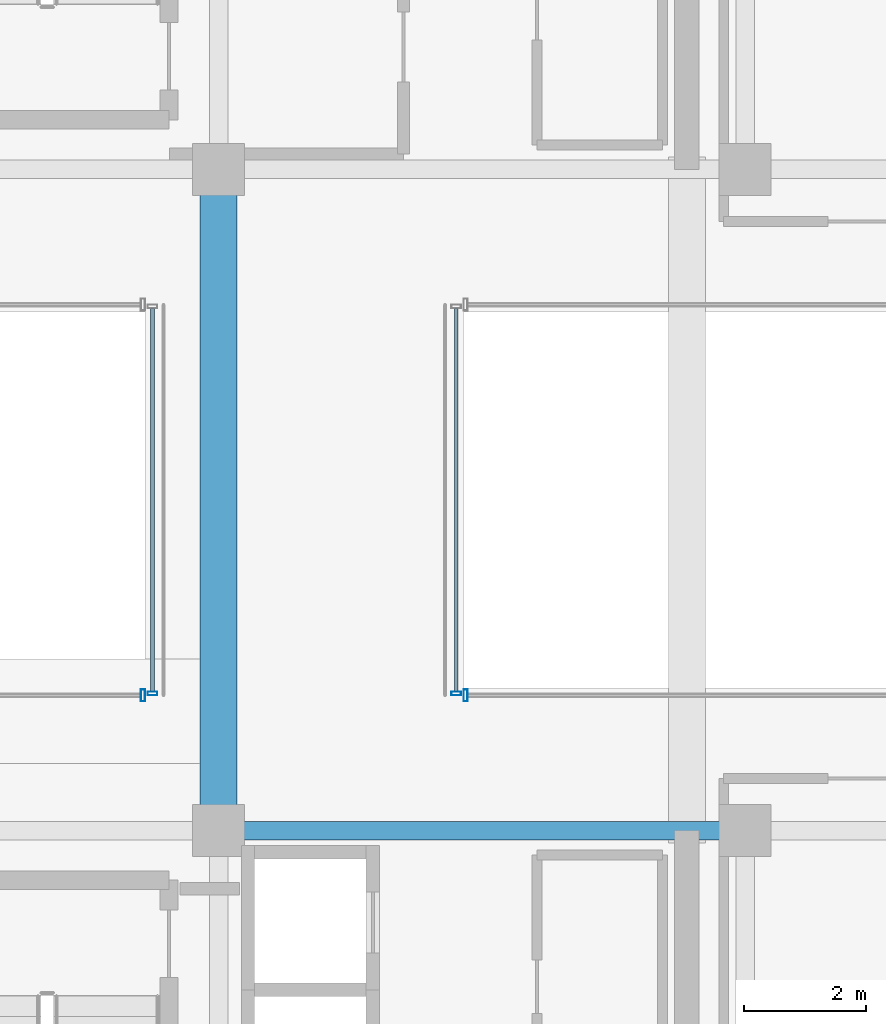
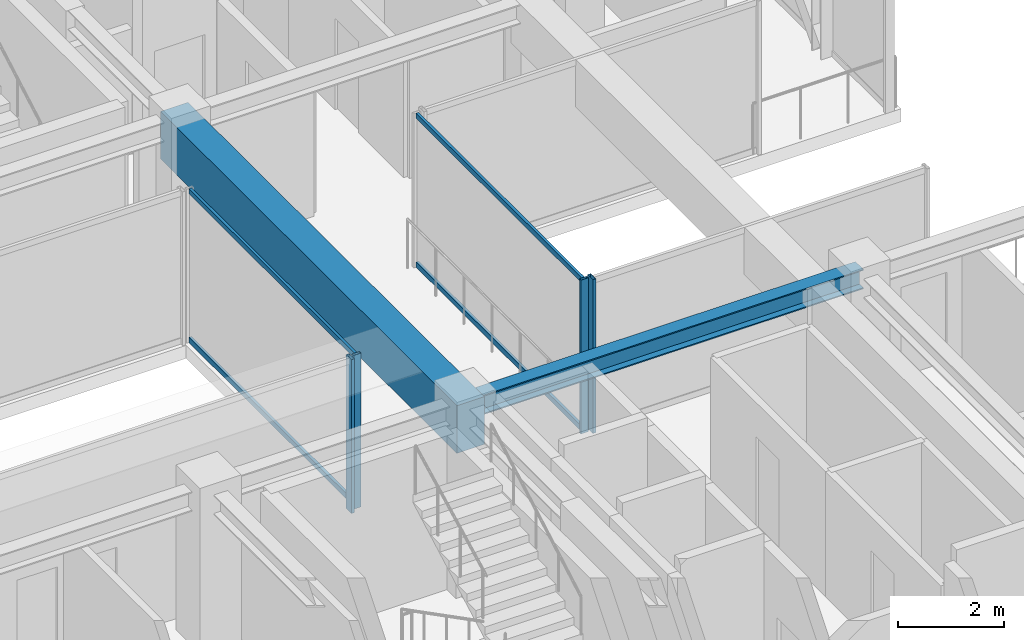
# One storey, part 19 of 40: 8 members, 2 beams, 4 elements without a shape of their own.
"""IFC4 building model written with IfcOpenShell, lengths in metres."""

from ifc_helpers import new_model, si_unit, direction, frame, origin, origin_2d, place, context, subcontext, project, spatial, rectangle, hollow_rectangle, i_section, extrude, source, transform, mapped, material, material_profile, profile_set, type_object, element, aggregate, save


model = new_model("IFC4")

# Units and contexts
model_context = context("Model", 3, precision=1e-05, world=origin(), true_north=direction((0.0, 1.0)))
body_context = subcontext(model_context, "Body", "Model", "MODEL_VIEW")
ifc_project = project(units=[si_unit("LENGTHUNIT", "METRE"), si_unit("AREAUNIT", "SQUARE_METRE"), si_unit("VOLUMEUNIT", "CUBIC_METRE"), si_unit("PLANEANGLEUNIT", "RADIAN"), si_unit("MASSUNIT", "GRAM", prefix="KILO")], contexts=[model_context])

# Site, building, storey
site_placement = place(None, origin())
site = spatial("IfcSite", under=ifc_project, at=site_placement, CompositionType="ELEMENT")
building_placement = place(site_placement, origin())
building = spatial("IfcBuilding", under=site, at=building_placement, Name="Nahalor Promenade Grand Hotel", CompositionType="ELEMENT")
storey_placement = place(building_placement, frame((0.0, 0.0, 288.800048828125)))
storey = spatial("IfcBuildingStorey", under=building, at=storey_placement, Name="L74", CompositionType="ELEMENT", Elevation=288.800048828125)

# Beams
ifc_material_1 = material(Name="Concrete B-60 (C50/60)", Category="concrete")
ifc_material_profile_1 = material_profile(ifc_material_1, rectangle(XDim=0.6, YDim=1.1, at=origin_2d()), Name="RC 600x1100")
ifc_profile_set_1 = profile_set([ifc_material_profile_1], Name="Concrete B-60 (C50/60)")
beam_type_1 = type_object("IfcBeamType", Name="Beam-Lintel-RC1100", PredefinedType="LINTEL", material=ifc_profile_set_1)
shared_shape_1 = source(origin(), body_context, "Body", "SweptSolid", [
    extrude(rectangle(XDim=0.6, YDim=1.1, at=origin_2d()), origin(), (0.0, 0.0, 1.0), 11.2001953125),
])
beam_1_placement = place(storey_placement, frame((8.39990234375, -5.60009765625, 3.0), z_axis=(0.0, 1.0, 0.0), x_axis=(-1.0, 0.0, 0.0)))
element("IfcBeam", 1, at=beam_1_placement, inside=storey, type_object=beam_type_1, Name="BM-L74-LINT-W", PredefinedType="LINTEL", context=body_context, shape_type="MappedRepresentation", body=[
    mapped(shared_shape_1, transform((0.0, 0.0, 0.0), scale=1.0)),
])
ifc_material_2 = material(Name="Steel S355JR", Category="steel")
ifc_material_profile_2 = material_profile(ifc_material_2, i_section(OverallWidth=0.3, OverallDepth=0.45, WebThickness=0.014, FlangeThickness=0.026, at=origin_2d()), Name="HEB 450")
ifc_profile_set_2 = profile_set([ifc_material_profile_2], Name="Steel S355JR")
beam_type_2 = type_object("IfcBeamType", Name="Beam-Girder-HEB450", PredefinedType="BEAM", material=ifc_profile_set_2)
shared_shape_2 = source(origin(), body_context, "Body", "SweptSolid", [
    extrude(i_section(OverallWidth=0.3, OverallDepth=0.45, WebThickness=0.014, FlangeThickness=0.026, at=origin_2d()), origin(), (0.0, 0.0, 1.0), 8.60009765625),
])
beam_2_placement = place(storey_placement, frame((8.39990234375, -5.39990234375, 3.324951171875), z_axis=(1.0, 0.0, 0.0), x_axis=(0.0, 1.0, 0.0)))
element("IfcBeam", 2, at=beam_2_placement, inside=storey, type_object=beam_type_2, Name="BM-L74-GX-1-5", PredefinedType="BEAM", context=body_context, shape_type="MappedRepresentation", body=[
    mapped(shared_shape_2, transform((0.0, 0.0, 0.0), scale=1.0)),
])

# Curtain wall, member
ifc_material_3 = material(Name="Anodised Bronze Aluminium EN AW-6063 T6", Category="aluminium")
curtain_wall_type_1 = type_object("IfcCurtainWallType", Name="CW3 Elliptical-Void Collar Unitised Curtain Wall", PredefinedType="USERDEFINED", material=ifc_material_3)
curtain_wall_1_placement = place(storey_placement, origin())
curtain_wall_1 = element("IfcCurtainWall", 3, at=curtain_wall_1_placement, inside=storey, type_object=curtain_wall_type_1, Name="L74 Curtain Wall CW-L74-VOID-WS1", ObjectType="UNITISED_CURTAIN_WALL", PredefinedType="USERDEFINED")
ifc_material_profile_3 = material_profile(ifc_material_3, hollow_rectangle(XDim=0.07, YDim=0.2, WallThickness=0.005, at=origin_2d()), Name="CWM 70x200x5")
ifc_profile_set_3 = profile_set([ifc_material_profile_3], Name="Anodised Bronze Aluminium EN AW-6063 T6")
member_type_1 = type_object("IfcMemberType", Name="CWM3 Void Collar Mullion 70x200", PredefinedType="MULLION", material=ifc_profile_set_3)
shared_shape_3 = source(origin(), body_context, "Body", "SweptSolid", [
    extrude(hollow_rectangle(XDim=0.07, YDim=0.2, WallThickness=0.005, at=origin_2d()), origin(), (0.0, 0.0, 1.0), 3.550048828125),
])
member_1_placement = place(storey_placement, frame((7.1650390625, -3.19091796875, 0.0), z_axis=(0.0, 0.0, 1.0), x_axis=(1.0, 0.0, 0.0)))
member_1 = element("IfcMember", 4, at=member_1_placement, type_object=member_type_1, Name="CW-L74-VOID-WS1 Mullion 3", PredefinedType="MULLION", context=body_context, shape_type="MappedRepresentation", body=[
    mapped(shared_shape_3, transform((0.0, 0.0, 0.0), scale=1.0)),
])
aggregate(curtain_wall_1, [member_1])

curtain_wall_2_placement = place(storey_placement, origin())
curtain_wall_2 = element("IfcCurtainWall", 5, at=curtain_wall_2_placement, inside=storey, type_object=curtain_wall_type_1, Name="L74 Curtain Wall CW-L74-VOID-ES1", ObjectType="UNITISED_CURTAIN_WALL", PredefinedType="USERDEFINED")
member_2_placement = place(storey_placement, frame((12.43505859375, -3.19091796875, 0.0), z_axis=(0.0, 0.0, 1.0), x_axis=(1.0, 0.0, 0.0)))
member_2 = element("IfcMember", 6, at=member_2_placement, type_object=member_type_1, Name="CW-L74-VOID-ES1 Mullion 0", PredefinedType="MULLION", context=body_context, shape_type="MappedRepresentation", body=[
    mapped(shared_shape_3, transform((0.0, 0.0, 0.0), scale=1.0)),
])
aggregate(curtain_wall_2, [member_2])

curtain_wall_type_2 = type_object("IfcCurtainWallType", Name="CW4 Low-Iron Sky-Gallery Bridge Curtain Wall", PredefinedType="USERDEFINED", material=ifc_material_3)
curtain_wall_3_placement = place(storey_placement, origin())
curtain_wall_3 = element("IfcCurtainWall", 7, at=curtain_wall_3_placement, inside=storey, type_object=curtain_wall_type_2, Name="L74 Curtain Wall CW-L74-BRG-W", ObjectType="UNITISED_CURTAIN_WALL", PredefinedType="USERDEFINED")
ifc_material_profile_4 = material_profile(ifc_material_3, hollow_rectangle(XDim=0.06, YDim=0.16, WallThickness=0.004, at=origin_2d()), Name="CWM 60x160x4")
ifc_profile_set_4 = profile_set([ifc_material_profile_4], Name="Anodised Bronze Aluminium EN AW-6063 T6")
member_type_2 = type_object("IfcMemberType", Name="CWM4 Sky-Gallery Slim Mullion 60x160", PredefinedType="MULLION", material=ifc_profile_set_4)
shared_shape_4 = source(origin(), body_context, "Body", "SweptSolid", [
    extrude(hollow_rectangle(XDim=0.06, YDim=0.16, WallThickness=0.004, at=origin_2d()), origin(), (0.0, 0.0, 1.0), 3.550048828125),
])
member_3_placement = place(storey_placement, frame((7.320068359375, -3.160888671875, 0.0), z_axis=(0.0, 0.0, 1.0), x_axis=(0.0, 1.0, 0.0)))
member_3 = element("IfcMember", 8, at=member_3_placement, type_object=member_type_2, Name="CW-L74-BRG-W Mullion 0", PredefinedType="MULLION", context=body_context, shape_type="MappedRepresentation", body=[
    mapped(shared_shape_4, transform((0.0, 0.0, 0.0), scale=1.0)),
])

curtain_wall_4_placement = place(storey_placement, origin())
curtain_wall_4 = element("IfcCurtainWall", 9, at=curtain_wall_4_placement, inside=storey, type_object=curtain_wall_type_2, Name="L74 Curtain Wall CW-L74-BRG-E", ObjectType="UNITISED_CURTAIN_WALL", PredefinedType="USERDEFINED")
member_4_placement = place(storey_placement, frame((12.280029296875, -3.160888671875, 0.0), z_axis=(0.0, 0.0, 1.0), x_axis=(0.0, 1.0, 0.0)))
member_4 = element("IfcMember", 10, at=member_4_placement, type_object=member_type_2, Name="CW-L74-BRG-E Mullion 0", PredefinedType="MULLION", context=body_context, shape_type="MappedRepresentation", body=[
    mapped(shared_shape_4, transform((0.0, 0.0, 0.0), scale=1.0)),
])

# Member
ifc_material_profile_5 = material_profile(ifc_material_3, hollow_rectangle(XDim=0.06, YDim=0.12, WallThickness=0.004, at=origin_2d()), Name="CWT 60x120x4")
ifc_profile_set_5 = profile_set([ifc_material_profile_5], Name="Anodised Bronze Aluminium EN AW-6063 T6")
member_type_3 = type_object("IfcMemberType", Name="CWT4 Sky-Gallery Slim Transom 60x120", PredefinedType="USERDEFINED", material=ifc_profile_set_5)
shared_shape_5 = source(origin(), body_context, "Body", "SweptSolid", [
    extrude(hollow_rectangle(XDim=0.06, YDim=0.12, WallThickness=0.004, at=origin_2d()), origin(), (0.0, 0.0, 1.0), 6.26220703125),
])
member_5_placement = place(storey_placement, frame((7.320068359375, -3.131103515625, 0.06005859375), z_axis=(0.0, 1.0, 0.0), x_axis=(-1.0, 0.0, 0.0)))
member_5 = element("IfcMember", 11, at=member_5_placement, type_object=member_type_3, Name="CW-L74-BRG-W Transom 0-0", ObjectType="TRANSOM", PredefinedType="USERDEFINED", context=body_context, shape_type="MappedRepresentation", body=[
    mapped(shared_shape_5, transform((0.0, 0.0, 0.0), scale=1.0)),
])

member_6_placement = place(storey_placement, frame((7.320068359375, -3.131103515625, 3.489990234375), z_axis=(0.0, 1.0, 0.0), x_axis=(-1.0, 0.0, 0.0)))
member_6 = element("IfcMember", 12, at=member_6_placement, type_object=member_type_3, Name="CW-L74-BRG-W Transom 0-1", ObjectType="TRANSOM", PredefinedType="USERDEFINED", context=body_context, shape_type="MappedRepresentation", body=[
    mapped(shared_shape_5, transform((0.0, 0.0, 0.0), scale=1.0)),
])

aggregate(curtain_wall_3, [member_3, member_5, member_6])

member_7_placement = place(storey_placement, frame((12.280029296875, -3.131103515625, 0.06005859375), z_axis=(0.0, 1.0, 0.0), x_axis=(-1.0, 0.0, 0.0)))
member_7 = element("IfcMember", 13, at=member_7_placement, type_object=member_type_3, Name="CW-L74-BRG-E Transom 0-0", ObjectType="TRANSOM", PredefinedType="USERDEFINED", context=body_context, shape_type="MappedRepresentation", body=[
    mapped(shared_shape_5, transform((0.0, 0.0, 0.0), scale=1.0)),
])

member_8_placement = place(storey_placement, frame((12.280029296875, -3.131103515625, 3.489990234375), z_axis=(0.0, 1.0, 0.0), x_axis=(-1.0, 0.0, 0.0)))
member_8 = element("IfcMember", 14, at=member_8_placement, type_object=member_type_3, Name="CW-L74-BRG-E Transom 0-1", ObjectType="TRANSOM", PredefinedType="USERDEFINED", context=body_context, shape_type="MappedRepresentation", body=[
    mapped(shared_shape_5, transform((0.0, 0.0, 0.0), scale=1.0)),
])

aggregate(curtain_wall_4, [member_4, member_7, member_8])

save(model, "model.ifc")
